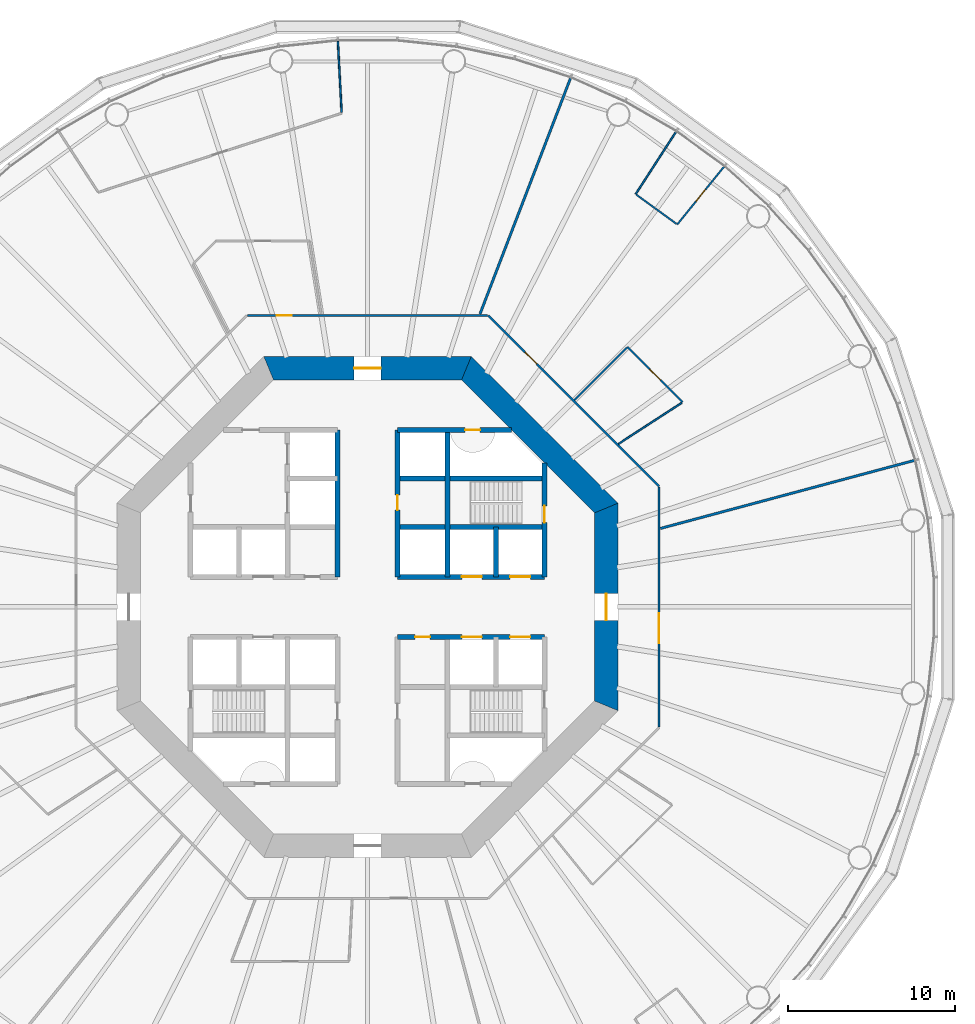
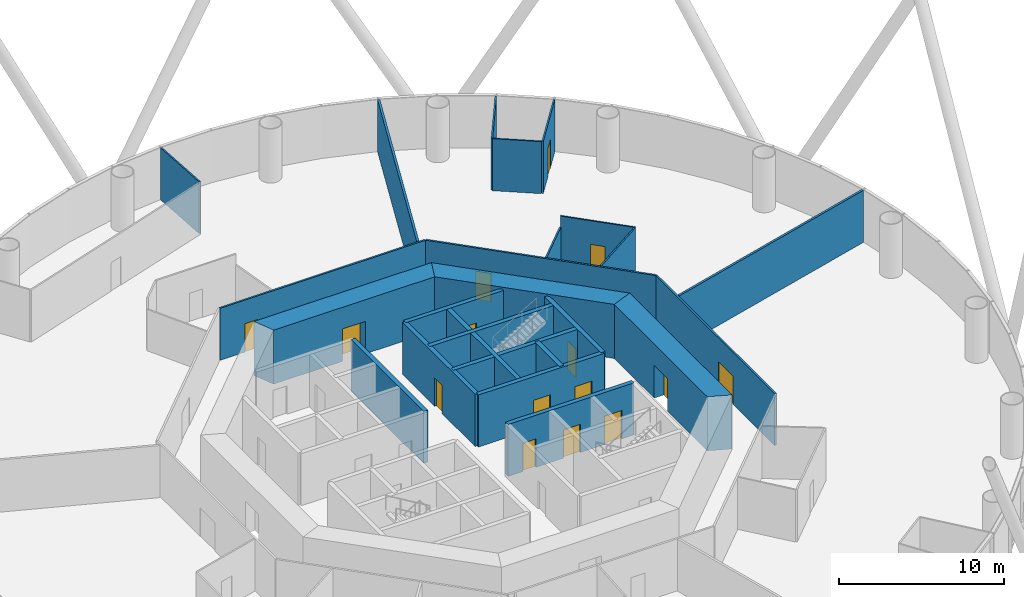
# One storey, part 5 of 13: 25 walls, 15 doors, 15 openings.
"""IFC4 building model written with IfcOpenShell, lengths in metres."""

from ifc_helpers import new_model, si_unit, direction, frame, frame_2d, origin, place, context, subcontext, project, spatial, polyline, rectangle, outline, extrude, material, layer, layer_set, type_object, element, fill, save


model = new_model("IFC4")

# Units and contexts
model_context = context("Model", 3, precision=1e-05, world=origin(), true_north=direction((0.0, 1.0)))
body_context = subcontext(model_context, "Body", "Model", "MODEL_VIEW")
ifc_project = project(units=[si_unit("LENGTHUNIT", "METRE"), si_unit("AREAUNIT", "SQUARE_METRE"), si_unit("VOLUMEUNIT", "CUBIC_METRE"), si_unit("PLANEANGLEUNIT", "RADIAN"), si_unit("MASSUNIT", "GRAM", prefix="KILO")], contexts=[model_context])

# Site, building, storey
site_placement = place(None, origin())
site = spatial("IfcSite", under=ifc_project, at=site_placement, CompositionType="ELEMENT")
building_placement = place(site_placement, origin())
building = spatial("IfcBuilding", under=site, at=building_placement, Name="Entoto Ring Tower", CompositionType="ELEMENT")
storey_placement = place(building_placement, frame((0.0, 0.0, 18.0)))
storey = spatial("IfcBuildingStorey", under=building, at=storey_placement, Name="L02", CompositionType="ELEMENT", Elevation=18.0)

# Wall, opening, door
ifc_material_1 = material(Name="Concrete C40/50", Category="concrete")
ifc_layer_1 = layer(ifc_material_1, 0.300048828125)
ifc_layer_set_1 = layer_set([ifc_layer_1], Name="Concrete C40/50")
wall_type_1 = type_object("IfcWallType", Name="Core enclosure wall 300 mm reinforced concrete", PredefinedType="SOLIDWALL", material=ifc_layer_set_1)
wall_1_placement = place(storey_placement, frame((100.60009765625, 81.800048828125, 0.0), z_axis=(0.0, 0.0, 1.0), x_axis=(0.0, 1.0, 0.0)))
wall_1 = element("IfcWall", 1, at=wall_1_placement, inside=storey, type_object=wall_type_1, Name="wall-L02-002", PredefinedType="SOLIDWALL", context=body_context, shape_type="SweptSolid", body=[
    extrude(rectangle(XDim=6.833251953125, YDim=0.300048828125, at=frame_2d((3.41650390625, 0.0))), origin(), (0.0, 0.0, 1.0), 3.85009765625),
])
opening_1_placement = place(wall_1_placement, frame((3.25, 0.0, 0.0)))
opening_1 = element("IfcOpeningElement", 2, at=opening_1_placement, cuts=wall_1, Name="Opening K-55", PredefinedType="OPENING", context=body_context, shape_type="SweptSolid", body=[
    extrude(rectangle(XDim=1.0, YDim=2.10009765625, at=frame_2d((0.5, 1.050048828125))), frame((0.0, 0.16015625, 0.0), z_axis=(0.0, -1.0, 0.0), x_axis=(1.0, 0.0, 0.0)), (0.0, 0.0, 1.0), 0.320068359375),
])
ifc_material_2 = material(Name="Steel door leaf, fire rated", Category="steel")
ifc_layer_2 = layer(ifc_material_2, 0.050048828125)
ifc_layer_set_2 = layer_set([ifc_layer_2], Name="Steel door leaf, fire rated")
door_type_1 = type_object("IfcDoorType", Name="Fire door FD60 1000 x 2100 single leaf", OperationType="NOTDEFINED", PredefinedType="DOOR", material=ifc_layer_set_2)
door_1_placement = place(opening_1_placement, origin())
door_1 = element("IfcDoor", 3, at=door_1_placement, inside=storey, type_object=door_type_1, Name="Door K-55", OperationType="SINGLE_SWING_LEFT", OverallHeight=2.10009765625, OverallWidth=1.0, PredefinedType="DOOR", context=body_context, shape_type="SweptSolid", body=[
    extrude(rectangle(XDim=1.0, YDim=2.10009765625, at=frame_2d((0.5, 1.050048828125))), frame((0.0, 0.02490234375, 0.0), z_axis=(0.0, -1.0, 0.0), x_axis=(1.0, 0.0, 0.0)), (0.0, 0.0, 1.0), 0.050048828125),
])
fill(opening_1, door_1)

# Walls
wall_2_placement = place(storey_placement, frame((97.699951171875, 81.800048828125, 0.0), z_axis=(0.0, 0.0, 1.0), x_axis=(0.0, 1.0, 0.0)))
element("IfcWall", 4, at=wall_2_placement, inside=storey, type_object=wall_type_1, Name="wall-L02-004", PredefinedType="SOLIDWALL", context=body_context, shape_type="SweptSolid", body=[
    extrude(rectangle(XDim=3.0, YDim=0.300048828125, at=frame_2d((1.5, 0.0))), origin(), (0.0, 0.0, 1.0), 3.85009765625),
])
wall_3_placement = place(storey_placement, frame((94.800048828125, 81.800048828125, 0.0), z_axis=(0.0, 0.0, 1.0), x_axis=(0.0, 1.0, 0.0)))
element("IfcWall", 5, at=wall_3_placement, inside=storey, type_object=wall_type_1, Name="wall-L02-006", PredefinedType="SOLIDWALL", context=body_context, shape_type="SweptSolid", body=[
    extrude(rectangle(XDim=8.800048828125, YDim=0.300048828125, at=frame_2d((4.39990234375, 0.0))), origin(), (0.0, 0.0, 1.0), 3.85009765625),
])

# Wall, opening, door
wall_4_placement = place(storey_placement, frame((91.800048828125, 81.800048828125, 0.0), z_axis=(0.0, 0.0, 1.0), x_axis=(0.0, 1.0, 0.0)))
wall_4 = element("IfcWall", 6, at=wall_4_placement, inside=storey, type_object=wall_type_1, Name="wall-L02-008", PredefinedType="SOLIDWALL", context=body_context, shape_type="SweptSolid", body=[
    extrude(rectangle(XDim=8.800048828125, YDim=0.300048828125, at=frame_2d((4.39990234375, 0.0))), origin(), (0.0, 0.0, 1.0), 3.85009765625),
])
opening_2_placement = place(wall_4_placement, frame((4.0, 0.0, 0.0)))
opening_2 = element("IfcOpeningElement", 7, at=opening_2_placement, cuts=wall_4, Name="Opening K-11", PredefinedType="OPENING", context=body_context, shape_type="SweptSolid", body=[
    extrude(rectangle(XDim=0.89990234375, YDim=2.10009765625, at=frame_2d((0.449951171875, 1.050048828125))), frame((0.0, 0.16015625, 0.0), z_axis=(0.0, -1.0, 0.0), x_axis=(1.0, 0.0, 0.0)), (0.0, 0.0, 1.0), 0.320068359375),
])
ifc_material_3 = material(Name="Steel door leaf, fire rated", Category="steel")
ifc_layer_3 = layer(ifc_material_3, 0.050048828125)
ifc_layer_set_3 = layer_set([ifc_layer_3], Name="Steel door leaf, fire rated")
door_type_2 = type_object("IfcDoorType", Name="Core door 900 x 2100 single leaf", OperationType="NOTDEFINED", PredefinedType="DOOR", material=ifc_layer_set_3)
door_2_placement = place(opening_2_placement, origin())
door_2 = element("IfcDoor", 8, at=door_2_placement, inside=storey, type_object=door_type_2, Name="Door K-11", OperationType="SINGLE_SWING_RIGHT", OverallHeight=2.10009765625, OverallWidth=0.89990234375, PredefinedType="DOOR", context=body_context, shape_type="SweptSolid", body=[
    extrude(rectangle(XDim=0.89990234375, YDim=2.10009765625, at=frame_2d((0.449951171875, 1.050048828125))), frame((0.0, 0.02490234375, 0.0), z_axis=(0.0, -1.0, 0.0), x_axis=(1.0, 0.0, 0.0)), (0.0, 0.0, 1.0), 0.050048828125),
])
fill(opening_2, door_2)

# Wall
wall_5_placement = place(storey_placement, frame((88.199951171875, 81.800048828125, 0.0), z_axis=(0.0, 0.0, 1.0), x_axis=(0.0, 1.0, 0.0)))
element("IfcWall", 9, at=wall_5_placement, inside=storey, type_object=wall_type_1, Name="wall-L02-010", PredefinedType="SOLIDWALL", context=body_context, shape_type="SweptSolid", body=[
    extrude(rectangle(XDim=8.800048828125, YDim=0.300048828125, at=frame_2d((4.39990234375, 0.0))), origin(), (0.0, 0.0, 1.0), 3.85009765625),
])

# Wall, openings, doors
wall_6_placement = place(storey_placement, frame((91.800048828125, 78.199951171875, 0.0), z_axis=(0.0, 0.0, 1.0), x_axis=(1.0, 0.0, 0.0)))
wall_6 = element("IfcWall", 10, at=wall_6_placement, inside=storey, type_object=wall_type_1, Name="wall-L02-024", PredefinedType="SOLIDWALL", context=body_context, shape_type="SweptSolid", body=[
    extrude(rectangle(XDim=8.800048828125, YDim=0.300048828125, at=frame_2d((4.39990234375, 0.0))), origin(), (0.0, 0.0, 1.0), 3.85009765625),
])
opening_3_placement = place(wall_6_placement, frame((3.85009765625, 0.0, 0.0)))
opening_3 = element("IfcOpeningElement", 11, at=opening_3_placement, cuts=wall_6, Name="Opening LD", PredefinedType="OPENING", context=body_context, shape_type="SweptSolid", body=[
    extrude(rectangle(XDim=1.199951171875, YDim=2.10009765625, at=frame_2d((0.60009765625, 1.050048828125))), frame((0.0, 0.16015625, 0.0), z_axis=(0.0, -1.0, 0.0), x_axis=(1.0, 0.0, 0.0)), (0.0, 0.0, 1.0), 0.320068359375),
])
opening_4_placement = place(wall_6_placement, frame((6.75, 0.0, 0.0)))
opening_4 = element("IfcOpeningElement", 12, at=opening_4_placement, cuts=wall_6, Name="Opening LD", PredefinedType="OPENING", context=body_context, shape_type="SweptSolid", body=[
    extrude(rectangle(XDim=1.199951171875, YDim=2.10009765625, at=frame_2d((0.60009765625, 1.050048828125))), frame((0.0, 0.16015625, 0.0), z_axis=(0.0, -1.0, 0.0), x_axis=(1.0, 0.0, 0.0)), (0.0, 0.0, 1.0), 0.320068359375),
])
opening_5_placement = place(wall_6_placement, frame((1.050048828125, 0.0, 0.0)))
opening_5 = element("IfcOpeningElement", 13, at=opening_5_placement, cuts=wall_6, Name="Opening K-15", PredefinedType="OPENING", context=body_context, shape_type="SweptSolid", body=[
    extrude(rectangle(XDim=0.89990234375, YDim=2.10009765625, at=frame_2d((0.449951171875, 1.050048828125))), frame((0.0, 0.16015625, 0.0), z_axis=(0.0, -1.0, 0.0), x_axis=(1.0, 0.0, 0.0)), (0.0, 0.0, 1.0), 0.320068359375),
])
door_3_placement = place(opening_5_placement, frame((0.89990234375, 0.0, 0.0), z_axis=(0.0, 0.0, 1.0), x_axis=(-1.0, 0.0, 0.0)))
door_3 = element("IfcDoor", 14, at=door_3_placement, inside=storey, type_object=door_type_2, Name="Door K-15", OperationType="SINGLE_SWING_RIGHT", OverallHeight=2.10009765625, OverallWidth=0.89990234375, PredefinedType="DOOR", context=body_context, shape_type="SweptSolid", body=[
    extrude(rectangle(XDim=0.89990234375, YDim=2.10009765625, at=frame_2d((0.449951171875, 1.050048828125))), frame((0.0, 0.02490234375, 0.0), z_axis=(0.0, -1.0, 0.0), x_axis=(1.0, 0.0, 0.0)), (0.0, 0.0, 1.0), 0.050048828125),
])
fill(opening_5, door_3)
ifc_material_4 = material(Name="Steel and glass door leaf", Category="steel")
ifc_layer_4 = layer(ifc_material_4, 0.050048828125)
ifc_layer_set_4 = layer_set([ifc_layer_4], Name="Steel and glass door leaf")
door_type_3 = type_object("IfcDoorType", Name="Landing door 1200 x 2100 sliding", OperationType="DOUBLE_DOOR_SLIDING", PredefinedType="DOOR", material=ifc_layer_set_4)
door_4_placement = place(opening_3_placement, origin())
door_4 = element("IfcDoor", 15, at=door_4_placement, inside=storey, type_object=door_type_3, Name="Landing door LB4-LR", OperationType="SLIDING_TO_RIGHT", OverallHeight=2.10009765625, OverallWidth=1.199951171875, PredefinedType="DOOR", context=body_context, shape_type="SweptSolid", body=[
    extrude(rectangle(XDim=1.199951171875, YDim=2.10009765625, at=frame_2d((0.60009765625, 1.050048828125))), frame((0.0, 0.02490234375, 0.0), z_axis=(0.0, -1.0, 0.0), x_axis=(1.0, 0.0, 0.0)), (0.0, 0.0, 1.0), 0.050048828125),
])
fill(opening_3, door_4)
door_5_placement = place(opening_4_placement, origin())
door_5 = element("IfcDoor", 16, at=door_5_placement, inside=storey, type_object=door_type_3, Name="Landing door LB5-LR", OperationType="SLIDING_TO_RIGHT", OverallHeight=2.10009765625, OverallWidth=1.199951171875, PredefinedType="DOOR", context=body_context, shape_type="SweptSolid", body=[
    extrude(rectangle(XDim=1.199951171875, YDim=2.10009765625, at=frame_2d((0.60009765625, 1.050048828125))), frame((0.0, 0.02490234375, 0.0), z_axis=(0.0, -1.0, 0.0), x_axis=(1.0, 0.0, 0.0)), (0.0, 0.0, 1.0), 0.050048828125),
])
fill(opening_4, door_5)

wall_7_placement = place(storey_placement, frame((91.800048828125, 81.800048828125, 0.0), z_axis=(0.0, 0.0, 1.0), x_axis=(1.0, 0.0, 0.0)))
wall_7 = element("IfcWall", 17, at=wall_7_placement, inside=storey, type_object=wall_type_1, Name="wall-L02-026", PredefinedType="SOLIDWALL", context=body_context, shape_type="SweptSolid", body=[
    extrude(rectangle(XDim=8.800048828125, YDim=0.300048828125, at=frame_2d((4.39990234375, 0.0))), origin(), (0.0, 0.0, 1.0), 3.85009765625),
])
opening_6_placement = place(wall_7_placement, frame((3.85009765625, 0.0, 0.0)))
opening_6 = element("IfcOpeningElement", 18, at=opening_6_placement, cuts=wall_7, Name="Opening LD", PredefinedType="OPENING", context=body_context, shape_type="SweptSolid", body=[
    extrude(rectangle(XDim=1.199951171875, YDim=2.10009765625, at=frame_2d((0.60009765625, 1.050048828125))), frame((0.0, 0.16015625, 0.0), z_axis=(0.0, -1.0, 0.0), x_axis=(1.0, 0.0, 0.0)), (0.0, 0.0, 1.0), 0.320068359375),
])
opening_7_placement = place(wall_7_placement, frame((6.75, 0.0, 0.0)))
opening_7 = element("IfcOpeningElement", 19, at=opening_7_placement, cuts=wall_7, Name="Opening LD", PredefinedType="OPENING", context=body_context, shape_type="SweptSolid", body=[
    extrude(rectangle(XDim=1.199951171875, YDim=2.10009765625, at=frame_2d((0.60009765625, 1.050048828125))), frame((0.0, 0.16015625, 0.0), z_axis=(0.0, -1.0, 0.0), x_axis=(1.0, 0.0, 0.0)), (0.0, 0.0, 1.0), 0.320068359375),
])
door_6_placement = place(opening_6_placement, origin())
door_6 = element("IfcDoor", 20, at=door_6_placement, inside=storey, type_object=door_type_3, Name="Landing door LB1-LR", OperationType="SLIDING_TO_RIGHT", OverallHeight=2.10009765625, OverallWidth=1.199951171875, PredefinedType="DOOR", context=body_context, shape_type="SweptSolid", body=[
    extrude(rectangle(XDim=1.199951171875, YDim=2.10009765625, at=frame_2d((0.60009765625, 1.050048828125))), frame((0.0, 0.02490234375, 0.0), z_axis=(0.0, -1.0, 0.0), x_axis=(1.0, 0.0, 0.0)), (0.0, 0.0, 1.0), 0.050048828125),
])
fill(opening_6, door_6)
door_7_placement = place(opening_7_placement, origin())
door_7 = element("IfcDoor", 21, at=door_7_placement, inside=storey, type_object=door_type_3, Name="Landing door LB2-LR", OperationType="SLIDING_TO_RIGHT", OverallHeight=2.10009765625, OverallWidth=1.199951171875, PredefinedType="DOOR", context=body_context, shape_type="SweptSolid", body=[
    extrude(rectangle(XDim=1.199951171875, YDim=2.10009765625, at=frame_2d((0.60009765625, 1.050048828125))), frame((0.0, 0.02490234375, 0.0), z_axis=(0.0, -1.0, 0.0), x_axis=(1.0, 0.0, 0.0)), (0.0, 0.0, 1.0), 0.050048828125),
])
fill(opening_7, door_7)

# Walls
for number, where, z_axis, x_axis, name in (
    (22, (91.800048828125, 84.800048828125, 0.0), (0.0, 0.0, 1.0), (1.0, 0.0, 0.0), "wall-L02-028"),
    (23, (91.800048828125, 87.699951171875, 0.0), (0.0, 0.0, 1.0), (1.0, 0.0, 0.0), "wall-L02-030"),
):
    element("IfcWall", number, at=place(storey_placement, frame(where, z_axis=z_axis, x_axis=x_axis)), inside=storey, type_object=wall_type_1, Name=name, PredefinedType="SOLIDWALL", context=body_context, shape_type="SweptSolid", body=[
        extrude(rectangle(XDim=8.800048828125, YDim=0.300048828125, at=frame_2d((4.39990234375, 0.0))), origin(), (0.0, 0.0, 1.0), 3.85009765625),
    ])

# Wall, opening, door
wall_8_placement = place(storey_placement, frame((91.800048828125, 90.60009765625, 0.0), z_axis=(0.0, 0.0, 1.0), x_axis=(1.0, 0.0, 0.0)))
wall_8 = element("IfcWall", 24, at=wall_8_placement, inside=storey, type_object=wall_type_1, Name="wall-L02-032", PredefinedType="SOLIDWALL", context=body_context, shape_type="SweptSolid", body=[
    extrude(rectangle(XDim=6.833251953125, YDim=0.300048828125, at=frame_2d((3.41650390625, 0.0))), origin(), (0.0, 0.0, 1.0), 3.85009765625),
])
opening_8_placement = place(wall_8_placement, frame((4.050048828125, 0.0, 0.0)))
opening_8 = element("IfcOpeningElement", 25, at=opening_8_placement, cuts=wall_8, Name="Opening K-62", PredefinedType="OPENING", context=body_context, shape_type="SweptSolid", body=[
    extrude(rectangle(XDim=0.89990234375, YDim=2.10009765625, at=frame_2d((0.449951171875, 1.050048828125))), frame((0.0, 0.16015625, 0.0), z_axis=(0.0, -1.0, 0.0), x_axis=(1.0, 0.0, 0.0)), (0.0, 0.0, 1.0), 0.320068359375),
])
ifc_material_5 = material(Name="Steel door leaf, fire rated", Category="steel")
ifc_layer_5 = layer(ifc_material_5, 0.050048828125)
ifc_layer_set_5 = layer_set([ifc_layer_5], Name="Steel door leaf, fire rated")
door_type_4 = type_object("IfcDoorType", Name="Riser door FD60 900 x 2100 single leaf", OperationType="NOTDEFINED", PredefinedType="DOOR", material=ifc_layer_set_5)
door_8_placement = place(opening_8_placement, frame((0.89990234375, 0.0, 0.0), z_axis=(0.0, 0.0, 1.0), x_axis=(-1.0, 0.0, 0.0)))
door_8 = element("IfcDoor", 26, at=door_8_placement, inside=storey, type_object=door_type_4, Name="Door K-62", OperationType="SINGLE_SWING_LEFT", OverallHeight=2.10009765625, OverallWidth=0.89990234375, PredefinedType="DOOR", context=body_context, shape_type="SweptSolid", body=[
    extrude(rectangle(XDim=0.89990234375, YDim=2.10009765625, at=frame_2d((0.449951171875, 1.050048828125))), frame((0.0, 0.02490234375, 0.0), z_axis=(0.0, -1.0, 0.0), x_axis=(1.0, 0.0, 0.0)), (0.0, 0.0, 1.0), 0.050048828125),
])
fill(opening_8, door_8)

ifc_material_6 = material(Name="Concrete C60/75", Category="concrete")
ifc_layer_6 = layer(ifc_material_6, 1.39990234375)
ifc_layer_set_6 = layer_set([ifc_layer_6], Name="Concrete C60/75")
wall_type_2 = type_object("IfcWallType", Name="Core shear wall 1400 mm reinforced concrete C60/75", PredefinedType="SHEAR", material=ifc_layer_set_6)
wall_9_placement = place(storey_placement, frame((104.300048828125, 74.07666015625, 0.0), z_axis=(0.0, 0.0, 1.0), x_axis=(0.0, 1.0, 0.0)))
wall_9 = element("IfcWall", 27, at=wall_9_placement, inside=storey, type_object=wall_type_2, Name="wall-L02-core-0", PredefinedType="SHEAR", context=body_context, shape_type="SweptSolid", body=[
    extrude(outline(polyline([(-0.2900390625, -0.699951171875), (12.13671875, -0.699951171875), (11.556640625, 0.699951171875), (0.2900390625, 0.699951171875), (-0.2900390625, -0.699951171875)])), origin(), (0.0, 0.0, 1.0), 4.0),
])
opening_9_placement = place(wall_9_placement, frame((5.123291015625, 0.0, 0.0)))
opening_9 = element("IfcOpeningElement", 28, at=opening_9_placement, cuts=wall_9, Name="Opening K-01", PredefinedType="OPENING", context=body_context, shape_type="SweptSolid", body=[
    extrude(rectangle(XDim=1.60009765625, YDim=2.39990234375, at=frame_2d((0.800048828125, 1.199951171875))), frame((0.0, 0.7099609375, 0.0), z_axis=(0.0, -1.0, 0.0), x_axis=(1.0, 0.0, 0.0)), (0.0, 0.0, 1.0), 1.419921875),
])
ifc_material_7 = material(Name="Steel door leaf, fire rated", Category="steel")
ifc_layer_7 = layer(ifc_material_7, 0.050048828125)
ifc_layer_set_7 = layer_set([ifc_layer_7], Name="Steel door leaf, fire rated")
door_type_5 = type_object("IfcDoorType", Name="Entrance door FD60 1600 x 2400 double leaf", OperationType="DOUBLE_DOOR_SINGLE_SWING", PredefinedType="DOOR", material=ifc_layer_set_7)
door_9_placement = place(opening_9_placement, origin())
door_9 = element("IfcDoor", 29, at=door_9_placement, inside=storey, type_object=door_type_5, Name="Entrance door K-01", OperationType="DOUBLE_DOOR_SINGLE_SWING", OverallHeight=2.39990234375, OverallWidth=1.60009765625, PredefinedType="DOOR", context=body_context, shape_type="SweptSolid", body=[
    extrude(rectangle(XDim=1.60009765625, YDim=2.39990234375, at=frame_2d((0.800048828125, 1.199951171875))), frame((0.0, 0.02490234375, 0.0), z_axis=(0.0, -1.0, 0.0), x_axis=(1.0, 0.0, 0.0)), (0.0, 0.0, 1.0), 0.050048828125),
])
fill(opening_9, door_9)

# Wall
wall_10_placement = place(storey_placement, frame((104.300048828125, 85.92333984375, 0.0), z_axis=(0.0, 0.0, 1.0), x_axis=(-0.707106781187, 0.707106781187, 0.0)))
element("IfcWall", 30, at=wall_10_placement, inside=storey, type_object=wall_type_2, Name="wall-L02-core-1", PredefinedType="SHEAR", context=body_context, shape_type="SweptSolid", body=[
    extrude(outline(polyline([(-0.2900390625, -0.699951171875), (12.136474609375, -0.699951171875), (11.556396484375, 0.699951171875), (0.2900390625, 0.699951171875), (-0.2900390625, -0.699951171875)])), origin(), (0.0, 0.0, 1.0), 4.0),
])

# Wall, opening, door
wall_11_placement = place(storey_placement, frame((95.92333984375, 94.300048828125, 0.0), z_axis=(0.0, 0.0, 1.0), x_axis=(-1.0, 0.0, 0.0)))
wall_11 = element("IfcWall", 31, at=wall_11_placement, inside=storey, type_object=wall_type_2, Name="wall-L02-core-2", PredefinedType="SHEAR", context=body_context, shape_type="SweptSolid", body=[
    extrude(outline(polyline([(-0.2900390625, -0.699951171875), (12.13671875, -0.699951171875), (11.556640625, 0.699951171875), (0.2900390625, 0.699951171875), (-0.2900390625, -0.699951171875)])), origin(), (0.0, 0.0, 1.0), 4.0),
])
opening_10_placement = place(wall_11_placement, frame((5.123291015625, 0.0, 0.0)))
opening_10 = element("IfcOpeningElement", 32, at=opening_10_placement, cuts=wall_11, Name="Opening K-02", PredefinedType="OPENING", context=body_context, shape_type="SweptSolid", body=[
    extrude(rectangle(XDim=1.60009765625, YDim=2.39990234375, at=frame_2d((0.800048828125, 1.199951171875))), frame((0.0, 0.7099609375, 0.0), z_axis=(0.0, -1.0, 0.0), x_axis=(1.0, 0.0, 0.0)), (0.0, 0.0, 1.0), 1.419921875),
])
door_10_placement = place(opening_10_placement, origin())
door_10 = element("IfcDoor", 33, at=door_10_placement, inside=storey, type_object=door_type_5, Name="Entrance door K-02", OperationType="DOUBLE_DOOR_SINGLE_SWING", OverallHeight=2.39990234375, OverallWidth=1.60009765625, PredefinedType="DOOR", context=body_context, shape_type="SweptSolid", body=[
    extrude(rectangle(XDim=1.60009765625, YDim=2.39990234375, at=frame_2d((0.800048828125, 1.199951171875))), frame((0.0, 0.02490234375, 0.0), z_axis=(0.0, -1.0, 0.0), x_axis=(1.0, 0.0, 0.0)), (0.0, 0.0, 1.0), 0.050048828125),
])
fill(opening_10, door_10)

ifc_material_8 = material(Name="Fire-resisting plasterboard on steel studs", Category="steel")
ifc_layer_8 = layer(ifc_material_8, 0.125)
ifc_layer_set_8 = layer_set([ifc_layer_8], Name="Fire-resisting plasterboard on steel studs")
wall_type_3 = type_object("IfcWallType", Name="Corridor wall 125 mm one-hour plasterboard on steel studs", PredefinedType="PARTITIONING", material=ifc_layer_set_8)
wall_12_placement = place(storey_placement, frame((107.46240234375, 87.233154296875, 0.0), z_axis=(0.0, 0.0, 1.0), x_axis=(-0.707106781187, 0.707106781187, 0.0)))
wall_12 = element("IfcWall", 34, at=wall_12_placement, inside=storey, type_object=wall_type_3, Name="partition-L02-004", PredefinedType="PARTITIONING", context=body_context, shape_type="SweptSolid", body=[
    extrude(rectangle(XDim=14.46630859375, YDim=0.125, at=frame_2d((7.233154296875, 0.0))), origin(), (0.0, 0.0, 1.0), 3.85009765625),
])
opening_11_placement = place(wall_12_placement, frame((10.349853515625, 0.0, 0.0)))
opening_11 = element("IfcOpeningElement", 35, at=opening_11_placement, cuts=wall_12, Name="Opening A02-D14", PredefinedType="OPENING", context=body_context, shape_type="SweptSolid", body=[
    extrude(rectangle(XDim=1.0, YDim=2.10009765625, at=frame_2d((0.5, 1.050048828125))), frame((0.0, 0.072509765625, 0.0), z_axis=(0.0, -1.0, 0.0), x_axis=(1.0, 0.0, 0.0)), (0.0, 0.0, 1.0), 0.14501953125),
])
ifc_material_9 = material(Name="Fire-resisting timber door set", Category="wood")
door_type_6 = type_object("IfcDoorType", Name="Door 1000 x 2100 single leaf FD30S fire door", OperationType="NOTDEFINED", PredefinedType="DOOR", material=ifc_material_9)
door_11_placement = place(opening_11_placement, frame((1.0, 0.0, 0.0), z_axis=(0.0, 0.0, 1.0), x_axis=(-1.0, 0.0, 0.0)))
door_11 = element("IfcDoor", 36, at=door_11_placement, inside=storey, type_object=door_type_6, Name="Door A02-D14", OperationType="SINGLE_SWING_RIGHT", OverallHeight=2.10009765625, OverallWidth=1.0, PredefinedType="DOOR", context=body_context, shape_type="SweptSolid", body=[
    extrude(rectangle(XDim=1.0, YDim=2.10009765625, at=frame_2d((0.5, 1.050048828125))), frame((0.0, 0.02490234375, 0.0), z_axis=(0.0, -1.0, 0.0), x_axis=(1.0, 0.0, 0.0)), (0.0, 0.0, 1.0), 0.050048828125),
])
fill(opening_11, door_11)

wall_13_placement = place(storey_placement, frame((82.810791015625, 97.46240234375, 0.0), z_axis=(0.0, 0.0, 1.0), x_axis=(1.0, 0.0, 0.0)))
wall_13 = element("IfcWall", 37, at=wall_13_placement, inside=storey, type_object=wall_type_3, Name="partition-L02-007", PredefinedType="PARTITIONING", context=body_context, shape_type="SweptSolid", body=[
    extrude(rectangle(XDim=14.37841796875, YDim=0.125, at=frame_2d((7.189208984375, 0.0))), origin(), (0.0, 0.0, 1.0), 3.85009765625),
])
opening_12_placement = place(wall_13_placement, frame((1.73974609375, 0.0, 0.0)))
opening_12 = element("IfcOpeningElement", 38, at=opening_12_placement, cuts=wall_13, Name="Opening A02-D03", PredefinedType="OPENING", context=body_context, shape_type="SweptSolid", body=[
    extrude(rectangle(XDim=0.89990234375, YDim=2.10009765625, at=frame_2d((0.449951171875, 1.050048828125))), frame((0.0, 0.072509765625, 0.0), z_axis=(0.0, -1.0, 0.0), x_axis=(1.0, 0.0, 0.0)), (0.0, 0.0, 1.0), 0.14501953125),
])
door_12_placement = place(opening_12_placement, origin())
door_12 = element("IfcDoor", 39, at=door_12_placement, inside=storey, type_object=door_type_6, Name="Door A02-D03", OperationType="SINGLE_SWING_RIGHT", OverallHeight=2.10009765625, OverallWidth=0.89990234375, PredefinedType="DOOR", context=body_context, shape_type="SweptSolid", body=[
    extrude(rectangle(XDim=0.89990234375, YDim=2.10009765625, at=frame_2d((0.449951171875, 1.050048828125))), frame((0.0, 0.02490234375, 0.0), z_axis=(0.0, -1.0, 0.0), x_axis=(1.0, 0.0, 0.0)), (0.0, 0.0, 1.0), 0.050048828125),
])
fill(opening_12, door_12)

wall_14_placement = place(storey_placement, frame((107.46240234375, 72.810791015625, 0.0), z_axis=(0.0, 0.0, 1.0), x_axis=(0.0, 1.0, 0.0)))
wall_14 = element("IfcWall", 40, at=wall_14_placement, inside=storey, type_object=wall_type_3, Name="partition-L02-008", PredefinedType="PARTITIONING", context=body_context, shape_type="SweptSolid", body=[
    extrude(rectangle(XDim=14.37841796875, YDim=0.125, at=frame_2d((7.189208984375, 0.0))), origin(), (0.0, 0.0, 1.0), 3.85009765625),
])
opening_13_placement = place(wall_14_placement, frame((5.01220703125, 0.0, 0.0)))
opening_13 = element("IfcOpeningElement", 41, at=opening_13_placement, cuts=wall_14, Name="Opening A02-D11", PredefinedType="OPENING", context=body_context, shape_type="SweptSolid", body=[
    extrude(rectangle(XDim=1.800048828125, YDim=2.10009765625, at=frame_2d((0.89990234375, 1.050048828125))), frame((0.0, 0.072509765625, 0.0), z_axis=(0.0, -1.0, 0.0), x_axis=(1.0, 0.0, 0.0)), (0.0, 0.0, 1.0), 0.14501953125),
])
ifc_material_10 = material(Name="Fire-resisting timber door set", Category="wood")
door_type_7 = type_object("IfcDoorType", Name="Door 1800 x 2100 double leaf FD30S fire door", OperationType="DOUBLE_DOOR_SINGLE_SWING", PredefinedType="DOOR", material=ifc_material_10)
door_13_placement = place(opening_13_placement, origin())
door_13 = element("IfcDoor", 42, at=door_13_placement, inside=storey, type_object=door_type_7, Name="Door A02-D11", OperationType="DOUBLE_DOOR_SINGLE_SWING", OverallHeight=2.10009765625, OverallWidth=1.800048828125, PredefinedType="DOOR", context=body_context, shape_type="SweptSolid", body=[
    extrude(rectangle(XDim=1.800048828125, YDim=2.10009765625, at=frame_2d((0.89990234375, 1.050048828125))), frame((0.0, 0.02490234375, 0.0), z_axis=(0.0, -1.0, 0.0), x_axis=(1.0, 0.0, 0.0)), (0.0, 0.0, 1.0), 0.050048828125),
])
fill(opening_13, door_13)

ifc_material_11 = material(Name="Plasterboard on steel studs", Category="steel")
ifc_layer_9 = layer(ifc_material_11, 0.10009765625)
ifc_layer_set_9 = layer_set([ifc_layer_9], Name="Plasterboard on steel studs")
wall_type_4 = type_object("IfcWallType", Name="Partition 100 mm plasterboard on steel studs", PredefinedType="PARTITIONING", material=ifc_layer_set_9)
wall_15_placement = place(storey_placement, frame((108.882080078125, 92.26220703125, 0.0), z_axis=(0.0, 0.0, 1.0), x_axis=(-0.707080702639, 0.707132858772, 0.0)))
wall_15 = element("IfcWall", 43, at=wall_15_placement, inside=storey, type_object=wall_type_4, Name="partition-L02-025", PredefinedType="PARTITIONING", context=body_context, shape_type="SweptSolid", body=[
    extrude(rectangle(XDim=4.680908203125, YDim=0.10009765625, at=frame_2d((2.34033203125, 0.0))), origin(), (0.0, 0.0, 1.0), 3.85009765625),
])
opening_14_placement = place(wall_15_placement, frame((1.890380859375, 0.0, 0.0)))
opening_14 = element("IfcOpeningElement", 44, at=opening_14_placement, cuts=wall_15, Name="Opening A02-D15", PredefinedType="OPENING", context=body_context, shape_type="SweptSolid", body=[
    extrude(rectangle(XDim=0.89990234375, YDim=2.10009765625, at=frame_2d((0.449951171875, 1.050048828125))), frame((0.0, 0.06005859375, 0.0), z_axis=(0.0, -1.0, 0.0), x_axis=(1.0, 0.0, 0.0)), (0.0, 0.0, 1.0), 0.1201171875),
])
ifc_material_12 = material(Name="Veneered timber door leaf in timber frame", Category="wood")
door_type_8 = type_object("IfcDoorType", Name="Door 900 x 2100 single leaf timber veneer", OperationType="NOTDEFINED", PredefinedType="DOOR", material=ifc_material_12)
door_14_placement = place(opening_14_placement, origin())
door_14 = element("IfcDoor", 45, at=door_14_placement, inside=storey, type_object=door_type_8, Name="Door A02-D15", OperationType="SINGLE_SWING_LEFT", OverallHeight=2.10009765625, OverallWidth=0.89990234375, PredefinedType="DOOR", context=body_context, shape_type="SweptSolid", body=[
    extrude(rectangle(XDim=0.89990234375, YDim=2.10009765625, at=frame_2d((0.449951171875, 1.050048828125))), frame((0.0, 0.02490234375, 0.0), z_axis=(0.0, -1.0, 0.0), x_axis=(1.0, 0.0, 0.0)), (0.0, 0.0, 1.0), 0.050048828125),
])
fill(opening_14, door_14)

# Wall
wall_16_placement = place(storey_placement, frame((105.034912109375, 89.763916015625, 0.0), z_axis=(0.0, 0.0, 1.0), x_axis=(0.838678941952, 0.544626139959, 0.0)))
element("IfcWall", 46, at=wall_16_placement, inside=storey, type_object=wall_type_4, Name="partition-L02-026", PredefinedType="PARTITIONING", context=body_context, shape_type="SweptSolid", body=[
    extrude(rectangle(XDim=4.525634765625, YDim=0.10009765625, at=frame_2d((2.2626953125, 0.0))), origin(), (0.0, 0.0, 1.0), 3.85009765625),
])

# Wall, opening, door
wall_17_placement = place(storey_placement, frame((108.55859375, 102.91796875, 0.0), z_axis=(0.0, 0.0, 1.0), x_axis=(0.629333948736, 0.777134982464, 0.0)))
wall_17 = element("IfcWall", 47, at=wall_17_placement, inside=storey, type_object=wall_type_4, Name="partition-L02-032", PredefinedType="PARTITIONING", context=body_context, shape_type="SweptSolid", body=[
    extrude(rectangle(XDim=4.449951171875, YDim=0.10009765625, at=frame_2d((2.22509765625, 0.0))), origin(), (0.0, 0.0, 1.0), 3.85009765625),
])
opening_15_placement = place(wall_17_placement, frame((1.77490234375, 0.0, 0.0)))
opening_15 = element("IfcOpeningElement", 48, at=opening_15_placement, cuts=wall_17, Name="Opening A02-D16", PredefinedType="OPENING", context=body_context, shape_type="SweptSolid", body=[
    extrude(rectangle(XDim=0.89990234375, YDim=2.10009765625, at=frame_2d((0.449951171875, 1.050048828125))), frame((0.0, 0.06005859375, 0.0), z_axis=(0.0, -1.0, 0.0), x_axis=(1.0, 0.0, 0.0)), (0.0, 0.0, 1.0), 0.1201171875),
])
door_15_placement = place(opening_15_placement, origin())
door_15 = element("IfcDoor", 49, at=door_15_placement, inside=storey, type_object=door_type_8, Name="Door A02-D16", OperationType="SINGLE_SWING_RIGHT", OverallHeight=2.10009765625, OverallWidth=0.89990234375, PredefinedType="DOOR", context=body_context, shape_type="SweptSolid", body=[
    extrude(rectangle(XDim=0.89990234375, YDim=2.10009765625, at=frame_2d((0.449951171875, 1.050048828125))), frame((0.0, 0.02490234375, 0.0), z_axis=(0.0, -1.0, 0.0), x_axis=(1.0, 0.0, 0.0)), (0.0, 0.0, 1.0), 0.050048828125),
])
fill(opening_15, door_15)

# Walls
wall_18_placement = place(storey_placement, frame((106.061279296875, 104.732421875, 0.0), z_axis=(0.0, 0.0, 1.0), x_axis=(0.544658564823, 0.838657884816, 0.0)))
element("IfcWall", 50, at=wall_18_placement, inside=storey, type_object=wall_type_4, Name="partition-L02-033", PredefinedType="PARTITIONING", context=body_context, shape_type="SweptSolid", body=[
    extrude(rectangle(XDim=4.4501953125, YDim=0.10009765625, at=frame_2d((2.22509765625, 0.0))), origin(), (0.0, 0.0, 1.0), 3.85009765625),
])
wall_19_placement = place(storey_placement, frame((88.447265625, 109.62744140625, 0.0), z_axis=(0.0, 0.0, 1.0), x_axis=(-0.05234886312, 0.99862885825, 0.0)))
element("IfcWall", 51, at=wall_19_placement, inside=storey, type_object=wall_type_4, Name="partition-L02-037", PredefinedType="PARTITIONING", context=body_context, shape_type="SweptSolid", body=[
    extrude(rectangle(XDim=4.27197265625, YDim=0.10009765625, at=frame_2d((2.135986328125, 0.0))), origin(), (0.0, 0.0, 1.0), 3.85009765625),
])
wall_20_placement = place(storey_placement, frame((108.518310546875, 102.947509765625, 0.0), z_axis=(0.0, 0.0, 1.0), x_axis=(-0.809068219654, 0.587714740282, 0.0)))
element("IfcWall", 52, at=wall_20_placement, inside=storey, type_object=wall_type_4, Name="partition-L02-043", PredefinedType="PARTITIONING", context=body_context, shape_type="SweptSolid", body=[
    extrude(rectangle(XDim=2.98681640625, YDim=0.10009765625, at=frame_2d((1.493408203125, 0.0))), origin(), (0.0, 0.0, 1.0), 3.85009765625),
])
ifc_material_13 = material(Name="Plasterboard on steel studs", Category="steel")
ifc_layer_10 = layer(ifc_material_13, 0.10009765625)
ifc_layer_set_10 = layer_set([ifc_layer_10], Name="Plasterboard on steel studs")
wall_type_5 = type_object("IfcWallType", Name="Partition 100 mm plasterboard on steel studs, 3050 mm high", PredefinedType="PARTITIONING", material=ifc_layer_set_10)
wall_21_placement = place(storey_placement, frame((102.39208984375, 92.39208984375, 0.0), z_axis=(0.0, 0.0, 1.0), x_axis=(0.707106781187, 0.707106781187, 0.0)))
element("IfcWall", 53, at=wall_21_placement, inside=storey, type_object=wall_type_5, Name="partition-L02-027", PredefinedType="PARTITIONING", context=body_context, shape_type="SweptSolid", body=[
    extrude(rectangle(XDim=4.447265625, YDim=0.10009765625, at=frame_2d((2.2236328125, 0.0))), origin(), (0.0, 0.0, 1.0), 3.050048828125),
])
ifc_material_14 = material(Name="Fire-resisting acoustic plasterboard on steel studs", Category="steel")
ifc_layer_11 = layer(ifc_material_14, 0.14990234375)
ifc_layer_set_11 = layer_set([ifc_layer_11], Name="Fire-resisting acoustic plasterboard on steel studs")
wall_type_6 = type_object("IfcWallType", Name="Party wall 150 mm one-hour acoustic plasterboard on steel studs", PredefinedType="PARTITIONING", material=ifc_layer_set_11)
wall_22_placement = place(storey_placement, frame((107.544189453125, 84.700927734375, 0.0), z_axis=(0.0, 0.0, 1.0), x_axis=(0.965927329602, 0.258813434598, 0.0)))
element("IfcWall", 54, at=wall_22_placement, inside=storey, type_object=wall_type_6, Name="partition-L02-011", PredefinedType="PARTITIONING", context=body_context, shape_type="SweptSolid", body=[
    extrude(rectangle(XDim=15.77685546875, YDim=0.14990234375, at=frame_2d((7.888427734375, 0.0))), origin(), (0.0, 0.0, 1.0), 3.85009765625),
])
wall_23_placement = place(storey_placement, frame((96.737548828125, 97.5517578125, 0.0), z_axis=(0.0, 0.0, 1.0), x_axis=(0.358367379191, 0.933580645435, 0.0)))
element("IfcWall", 55, at=wall_23_placement, inside=storey, type_object=wall_type_6, Name="partition-L02-013", PredefinedType="PARTITIONING", context=body_context, shape_type="SweptSolid", body=[
    extrude(rectangle(XDim=15.1396484375, YDim=0.14990234375, at=frame_2d((7.56982421875, 0.0))), origin(), (0.0, 0.0, 1.0), 3.85009765625),
])

save(model, "model.ifc")
